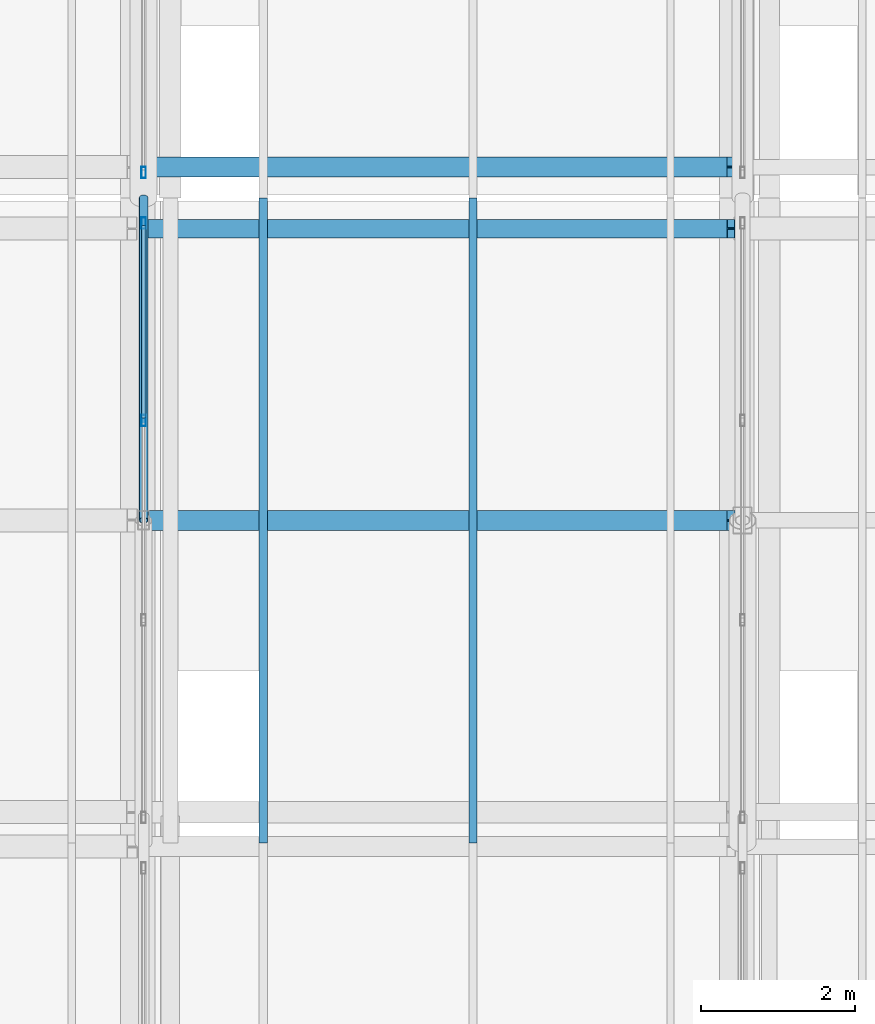
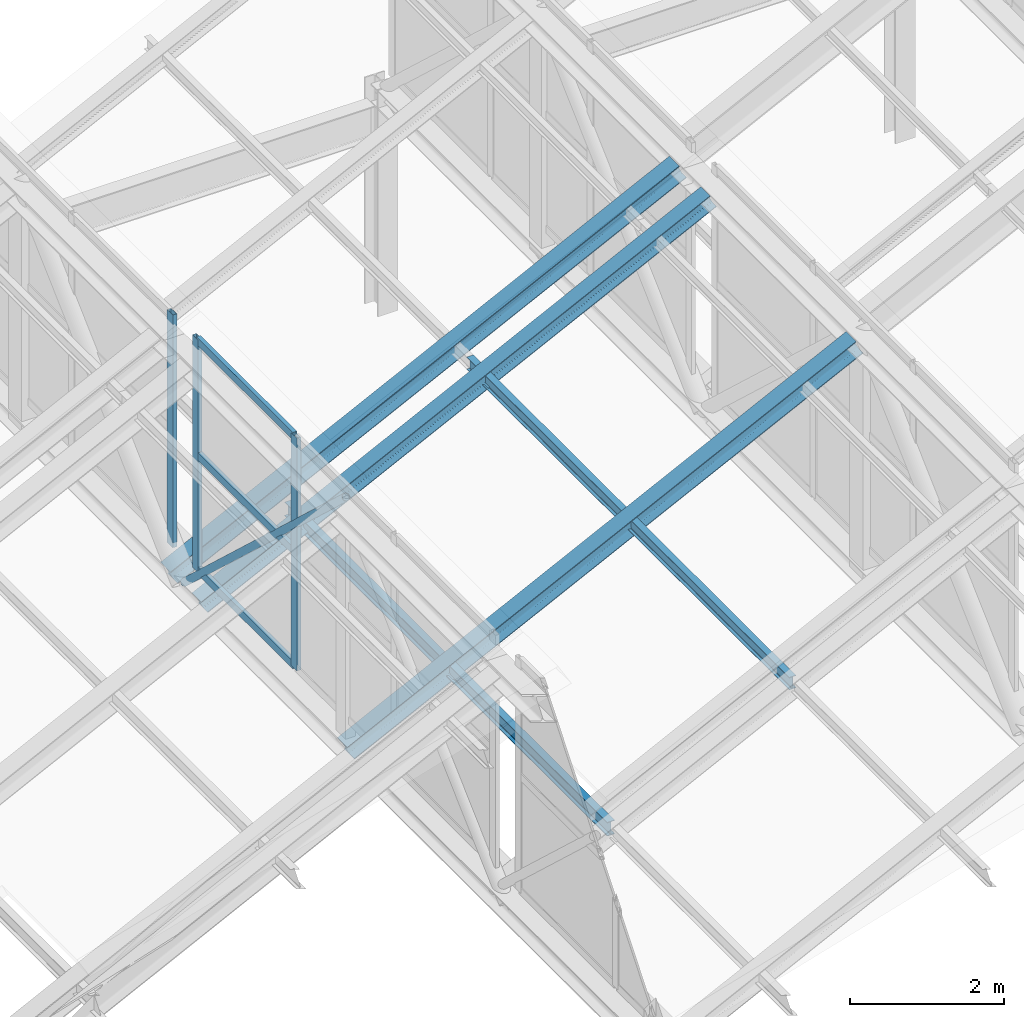
# One storey, part 22 of 101: 12 members, 2 elements without a shape of their own.
"""IFC4 building model written with IfcOpenShell, lengths in metres."""

from ifc_helpers import new_model, si_unit, direction, frame, origin, origin_2d, place, context, subcontext, project, spatial, hollow_rectangle, hollow_circle, i_section, extrude, material, layer, layer_set, material_profile, profile_set, type_object, element, aggregate, save


model = new_model("IFC4")

# Units and contexts
model_context = context("Model", 3, precision=1e-05, world=origin(), true_north=direction((0.0, 1.0)))
body_context = subcontext(model_context, "Body", "Model", "MODEL_VIEW")
ifc_project = project(units=[si_unit("LENGTHUNIT", "METRE"), si_unit("AREAUNIT", "SQUARE_METRE"), si_unit("VOLUMEUNIT", "CUBIC_METRE"), si_unit("PLANEANGLEUNIT", "RADIAN"), si_unit("MASSUNIT", "GRAM", prefix="KILO")], contexts=[model_context])

# Site, building, storey
site_placement = place(None, origin())
site = spatial("IfcSite", under=ifc_project, at=site_placement, CompositionType="ELEMENT")
building_placement = place(site_placement, origin())
building = spatial("IfcBuilding", under=site, at=building_placement, Name="Zizhar Promenade General Hospital", CompositionType="ELEMENT")
storey_placement = place(building_placement, frame((0.0, 0.0, 14.39990234375)))
storey = spatial("IfcBuildingStorey", under=building, at=storey_placement, Name="L03", CompositionType="ELEMENT", Elevation=14.39990234375)

# Curtain wall, members
ifc_material_1 = material(Name="Anodised aluminium 6063-T6 and low-E glass", Category="aluminium")
ifc_layer_1 = layer(ifc_material_1, 0.159912109375)
ifc_layer_set_1 = layer_set([ifc_layer_1], Name="Anodised aluminium 6063-T6 and low-E glass")
curtain_wall_type_1 = type_object("IfcCurtainWallType", Name="CW-SAW-NL2", PredefinedType="NOTDEFINED", material=ifc_layer_set_1)
curtain_wall_1_placement = place(storey_placement, origin())
curtain_wall_1 = element("IfcCurtainWall", 1, at=curtain_wall_1_placement, inside=storey, type_object=curtain_wall_type_1, Name="Sawtooth Clerestory Light B2-S2", PredefinedType="NOTDEFINED")
ifc_material_2 = material(Name="Anodised aluminium 6063-T6", Category="aluminium")
ifc_material_profile_1 = material_profile(ifc_material_2, hollow_rectangle(XDim=0.06005859375, YDim=0.14990234375, WallThickness=0.00390625, at=origin_2d()))
ifc_profile_set_1 = profile_set([ifc_material_profile_1], Name="Anodised aluminium 6063-T6")
member_type_1 = type_object("IfcMemberType", Name="CWM-ALU-150x60", PredefinedType="MULLION", material=ifc_profile_set_1)
member_1_placement = place(storey_placement, frame((85.800048828125, 39.10009765625, 3.85009765625), z_axis=(0.0, 0.0, 1.0), x_axis=(-1.0, 0.0, 0.0)))
member_1 = element("IfcMember", 2, at=member_1_placement, type_object=member_type_1, Name="CW-04 mullion 3", PredefinedType="MULLION", context=body_context, shape_type="SweptSolid", body=[
    extrude(hollow_rectangle(XDim=0.06005859375, YDim=0.14990234375, WallThickness=0.00390625, at=origin_2d()), origin(), (0.0, 0.0, 1.0), 3.699951171875),
])
member_2_placement = place(storey_placement, frame((85.800048828125, 41.669921875, 3.85009765625), z_axis=(0.0, 0.0, 1.0), x_axis=(-1.0, 0.0, 0.0)))
member_2 = element("IfcMember", 3, at=member_2_placement, type_object=member_type_1, Name="CW-04 mullion 4", PredefinedType="MULLION", context=body_context, shape_type="SweptSolid", body=[
    extrude(hollow_rectangle(XDim=0.06005859375, YDim=0.14990234375, WallThickness=0.00390625, at=origin_2d()), origin(), (0.0, 0.0, 1.0), 3.699951171875),
])

# Curtain wall, member
ifc_material_3 = material(Name="Anodised aluminium 6063-T6 and low-E glass", Category="aluminium")
ifc_layer_2 = layer(ifc_material_3, 0.159912109375)
ifc_layer_set_2 = layer_set([ifc_layer_2], Name="Anodised aluminium 6063-T6 and low-E glass")
curtain_wall_type_2 = type_object("IfcCurtainWallType", Name="CW-SAW-NL3", PredefinedType="NOTDEFINED", material=ifc_layer_set_2)
curtain_wall_2_placement = place(storey_placement, origin())
curtain_wall_2 = element("IfcCurtainWall", 4, at=curtain_wall_2_placement, inside=storey, type_object=curtain_wall_type_2, Name="Sawtooth Clerestory Light B2-S3", PredefinedType="NOTDEFINED")
member_3_placement = place(storey_placement, frame((85.800048828125, 42.330078125, 3.85009765625), z_axis=(0.0, 0.0, 1.0), x_axis=(-1.0, 0.0, 0.0)))
member_3 = element("IfcMember", 5, at=member_3_placement, type_object=member_type_1, Name="CW-05 mullion 1", PredefinedType="MULLION", context=body_context, shape_type="SweptSolid", body=[
    extrude(hollow_rectangle(XDim=0.06005859375, YDim=0.14990234375, WallThickness=0.00390625, at=origin_2d()), origin(), (0.0, 0.0, 1.0), 3.699951171875),
])
aggregate(curtain_wall_2, [member_3])

# Member
ifc_material_4 = material(Name="Anodised aluminium 6063-T6", Category="aluminium")
ifc_material_profile_2 = material_profile(ifc_material_4, hollow_rectangle(XDim=0.06005859375, YDim=0.1201171875, WallThickness=0.00390625, at=origin_2d()))
ifc_profile_set_2 = profile_set([ifc_material_profile_2], Name="Anodised aluminium 6063-T6")
member_type_2 = type_object("IfcMemberType", Name="CWT-ALU-120x60", PredefinedType="USERDEFINED", material=ifc_profile_set_2)
member_4_placement = place(storey_placement, frame((85.800048828125, 39.1298828125, 3.880126953125), z_axis=(0.0, 1.0, 0.0), x_axis=(-1.0, 0.0, 0.0)))
member_4 = element("IfcMember", 6, at=member_4_placement, type_object=member_type_2, Name="CW-04 transom 3.1", ObjectType="TRANSOM", PredefinedType="USERDEFINED", context=body_context, shape_type="SweptSolid", body=[
    extrude(hollow_rectangle(XDim=0.06005859375, YDim=0.1201171875, WallThickness=0.00390625, at=origin_2d()), origin(), (0.0, 0.0, 1.0), 2.510009765625),
])

member_5_placement = place(storey_placement, frame((85.800048828125, 39.1298828125, 5.7001953125), z_axis=(0.0, 1.0, 0.0), x_axis=(-1.0, 0.0, 0.0)))
member_5 = element("IfcMember", 7, at=member_5_placement, type_object=member_type_2, Name="CW-04 transom 3.2", ObjectType="TRANSOM", PredefinedType="USERDEFINED", context=body_context, shape_type="SweptSolid", body=[
    extrude(hollow_rectangle(XDim=0.06005859375, YDim=0.1201171875, WallThickness=0.00390625, at=origin_2d()), origin(), (0.0, 0.0, 1.0), 2.510009765625),
])

member_6_placement = place(storey_placement, frame((85.800048828125, 39.1298828125, 7.52001953125), z_axis=(0.0, 1.0, 0.0), x_axis=(-1.0, 0.0, 0.0)))
member_6 = element("IfcMember", 8, at=member_6_placement, type_object=member_type_2, Name="CW-04 transom 3.3", ObjectType="TRANSOM", PredefinedType="USERDEFINED", context=body_context, shape_type="SweptSolid", body=[
    extrude(hollow_rectangle(XDim=0.06005859375, YDim=0.1201171875, WallThickness=0.00390625, at=origin_2d()), origin(), (0.0, 0.0, 1.0), 2.510009765625),
])

aggregate(curtain_wall_1, [member_1, member_2, member_4, member_5, member_6])

# Members
ifc_material_5 = material(Name="Steel S355", Category="steel")
ifc_material_profile_3 = material_profile(ifc_material_5, hollow_circle(Radius=0.05712890625, WallThickness=0.00634765625, at=origin_2d()))
ifc_profile_set_3 = profile_set([ifc_material_profile_3], Name="Steel S355")
member_type_3 = type_object("IfcMemberType", Name="MEM-BRACE-CHS114", PredefinedType="BRACE", material=ifc_profile_set_3)
member_7_placement = place(storey_placement, frame((85.800048828125, 42.0, 3.4501953125), z_axis=(0.0, -0.732798043082, 0.680446197767), x_axis=(1.0, 0.0, 0.0)))
element("IfcMember", 9, at=member_7_placement, inside=storey, type_object=member_type_3, Name="Sawtooth Truss Frame 3 Diagonal B2", PredefinedType="BRACE", context=body_context, shape_type="SweptSolid", body=[
    extrude(hollow_circle(Radius=0.05712890625, WallThickness=0.00634765625, at=origin_2d()), origin(), (0.0, 0.0, 1.0), 5.7314453125),
])
ifc_material_6 = material(Name="Steel S355", Category="steel")
ifc_material_profile_4 = material_profile(ifc_material_6, i_section(OverallWidth=0.10009765625, OverallDepth=0.199951171875, WebThickness=0.005615234375, FlangeThickness=0.008544921875, FilletRadius=0.011962890625, at=origin_2d()))
ifc_profile_set_4 = profile_set([ifc_material_profile_4], Name="Steel S355")
member_type_4 = type_object("IfcMemberType", Name="MEM-PURL-IPE200", PredefinedType="PURLIN", material=ifc_profile_set_4)
member_8_placement = place(storey_placement, frame((90.090087890625, 33.60009765625, 5.444580078125), z_axis=(0.0, 1.0, 0.0), x_axis=(-1.0, 0.0, 0.0)))
element("IfcMember", 10, at=member_8_placement, inside=storey, type_object=member_type_4, Name="Sawtooth Bay 3 Purlin 2-2", PredefinedType="PURLIN", context=body_context, shape_type="SweptSolid", body=[
    extrude(i_section(OverallWidth=0.10009765625, OverallDepth=0.199951171875, WebThickness=0.005615234375, FlangeThickness=0.008544921875, FilletRadius=0.011962890625, at=origin_2d()), origin(), (0.0, 0.0, 1.0), 8.39990234375),
])
ifc_material_7 = material(Name="Steel S355", Category="steel")
ifc_material_profile_5 = material_profile(ifc_material_7, i_section(OverallWidth=0.110107421875, OverallDepth=0.219970703125, WebThickness=0.005859375, FlangeThickness=0.00927734375, FilletRadius=0.011962890625, at=origin_2d()))
ifc_profile_set_5 = profile_set([ifc_material_profile_5], Name="Steel S355")
member_type_5 = type_object("IfcMemberType", Name="MEM-PURL-IPE220", PredefinedType="PURLIN", material=ifc_profile_set_5)
member_9_placement = place(storey_placement, frame((87.360107421875, 33.60009765625, 4.087158203125), z_axis=(0.0, 1.0, 0.0), x_axis=(-1.0, 0.0, 0.0)))
element("IfcMember", 11, at=member_9_placement, inside=storey, type_object=member_type_5, Name="Sawtooth Bay 3 Purlin 2-1", PredefinedType="PURLIN", context=body_context, shape_type="SweptSolid", body=[
    extrude(i_section(OverallWidth=0.110107421875, OverallDepth=0.219970703125, WebThickness=0.005859375, FlangeThickness=0.00927734375, FilletRadius=0.011962890625, at=origin_2d()), origin(), (0.0, 0.0, 1.0), 8.39990234375),
])
ifc_material_8 = material(Name="Steel S355", Category="steel")
ifc_material_profile_6 = material_profile(ifc_material_8, i_section(OverallWidth=0.239990234375, OverallDepth=0.22998046875, WebThickness=0.007568359375, FlangeThickness=0.011962890625, FilletRadius=0.02099609375, at=origin_2d()))
ifc_profile_set_6 = profile_set([ifc_material_profile_6], Name="Steel S355")
member_type_6 = type_object("IfcMemberType", Name="MEM-RAFT-HEA240", PredefinedType="RAFTER", material=ifc_profile_set_6)
member_10_placement = place(storey_placement, frame((85.800048828125, 41.60009765625, 3.364990234375), z_axis=(0.896704881356, 0.0, 0.442628914276), x_axis=(0.0, 1.0, 0.0)))
element("IfcMember", 12, at=member_10_placement, inside=storey, type_object=member_type_6, Name="Sawtooth Bay 3 Rafter 2-3", PredefinedType="RAFTER", context=body_context, shape_type="SweptSolid", body=[
    extrude(i_section(OverallWidth=0.239990234375, OverallDepth=0.22998046875, WebThickness=0.007568359375, FlangeThickness=0.011962890625, FilletRadius=0.02099609375, at=origin_2d()), origin(), (0.0, 0.0, 1.0), 8.531005859375),
])
ifc_material_9 = material(Name="Steel S355", Category="steel")
ifc_material_profile_7 = material_profile(ifc_material_9, i_section(OverallWidth=0.260009765625, OverallDepth=0.25, WebThickness=0.007568359375, FlangeThickness=0.012451171875, FilletRadius=0.02392578125, at=origin_2d()))
ifc_profile_set_7 = profile_set([ifc_material_profile_7], Name="Steel S355")
member_type_7 = type_object("IfcMemberType", Name="MEM-RAFT-HEA260", PredefinedType="RAFTER", material=ifc_profile_set_7)
for number, where, z_axis, x_axis, name in (
    (13, (85.800048828125, 37.800048828125, 3.353759765625), (0.896704881356, 0.0, 0.442628914276), (0.0, 1.0, 0.0), "Sawtooth Bay 3 Rafter 2-2"),
    (14, (85.800048828125, 42.39990234375, 3.353759765625), (0.896704881356, 0.0, 0.442628914276), (0.0, 1.0, 0.0), "Sawtooth Bay 3 Rafter 3-1"),
):
    element("IfcMember", number, at=place(storey_placement, frame(where, z_axis=z_axis, x_axis=x_axis)), inside=storey, type_object=member_type_7, Name=name, PredefinedType="RAFTER", context=body_context, shape_type="SweptSolid", body=[
        extrude(i_section(OverallWidth=0.260009765625, OverallDepth=0.25, WebThickness=0.007568359375, FlangeThickness=0.012451171875, FilletRadius=0.02392578125, at=origin_2d()), origin(), (0.0, 0.0, 1.0), 8.531005859375),
    ])

save(model, "model.ifc")
